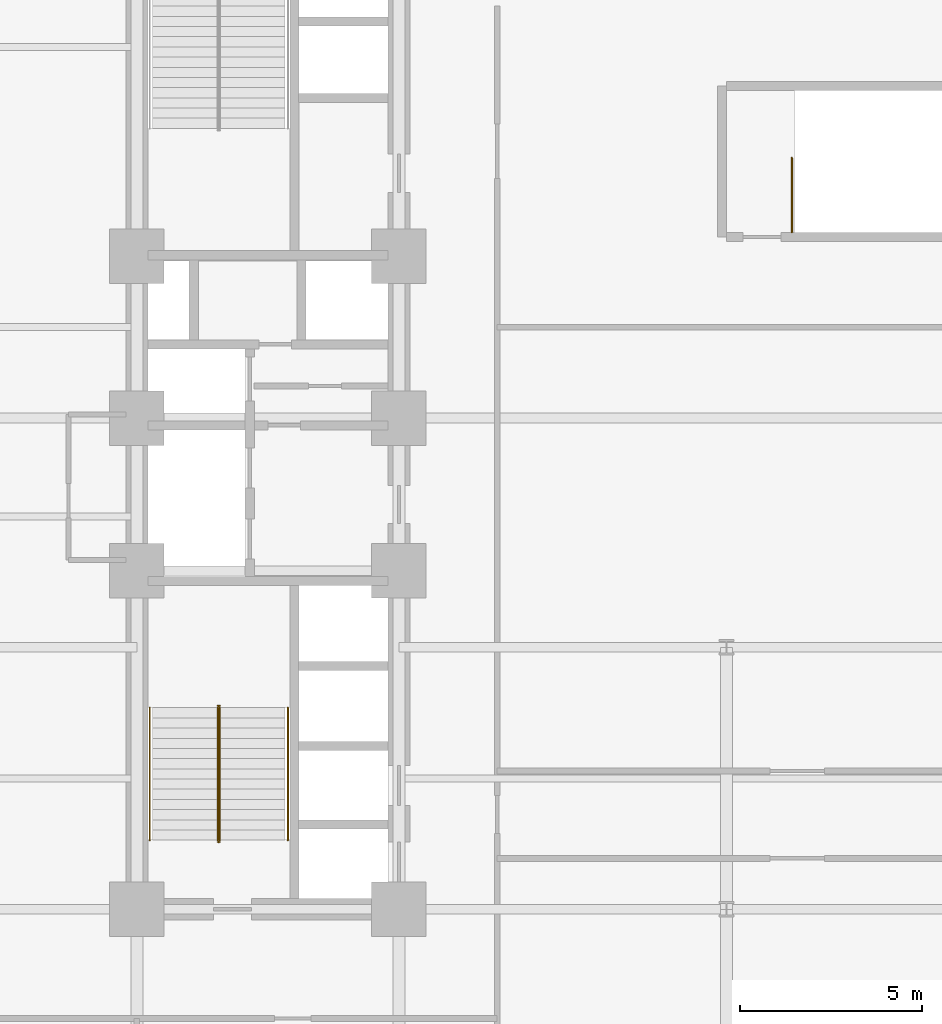
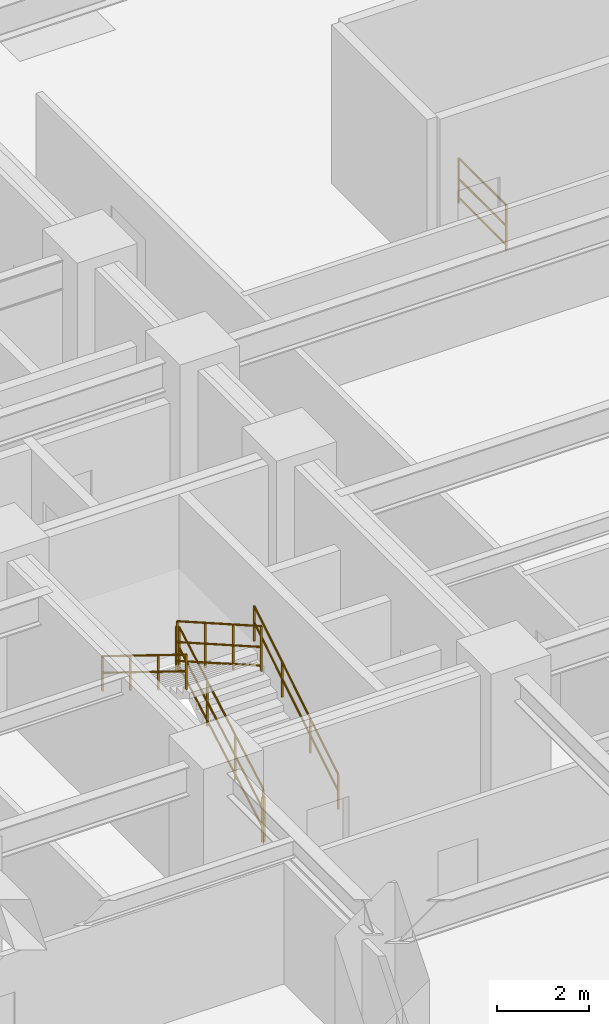
# One storey, part 12 of 14: 7 railings.
"""IFC4 building model written with IfcOpenShell, lengths in metres."""

from ifc_helpers import new_model, entity, si_unit, converted_unit, direction, frame, origin_with_axes, origin_2d_with_axis, place, context, subcontext, project, spatial, rectangle, circle, extrude, material, type_object, element, save


model = new_model("IFC4")

# Units and contexts
model_context = context("Model", 3, precision=1e-05, world=origin_with_axes(), true_north=direction((0.0, 1.0)))
body_context = subcontext(model_context, "Body", "Model", "MODEL_VIEW")
ifc_project = project(units=[si_unit("LENGTHUNIT", "METRE"), si_unit("AREAUNIT", "SQUARE_METRE"), si_unit("VOLUMEUNIT", "CUBIC_METRE"), converted_unit("PLANEANGLEUNIT", "DEGREE", entity("IfcPlaneAngleMeasure", 0.017453292519943295), si_unit("PLANEANGLEUNIT", "RADIAN"), dimensions=[0, 0, 0, 0, 0, 0, 0]), si_unit("MASSUNIT", "GRAM", prefix="KILO"), si_unit("THERMODYNAMICTEMPERATUREUNIT", "KELVIN")], contexts=[model_context])

# Site, building, storey
site_placement = place(None, origin_with_axes())
site = spatial("IfcSite", under=ifc_project, at=site_placement, CompositionType="ELEMENT")
building_placement = place(site_placement, origin_with_axes())
building = spatial("IfcBuilding", under=site, at=building_placement, Name="Varnlund Millrace Tower", CompositionType="ELEMENT")
storey_placement = place(building_placement, frame((0.0, 0.0, 24.3), z_axis=(0.0, 0.0, 1.0), x_axis=(1.0, 0.0, 0.0)))
storey = spatial("IfcBuildingStorey", under=building, at=storey_placement, Name="L05", CompositionType="ELEMENT", Elevation=24.3)

# Railings
ifc_material_1 = material(Name="Painted steel stair well balustrade guard", Category="steel")
railing_type_1 = type_object("IfcRailingType", Name="Type-StairGuard-1150", PredefinedType="GUARDRAIL", material=ifc_material_1)
railing_1_placement = place(storey_placement, frame((0.0, 0.0, -24.3), z_axis=(0.0, 0.0, 1.0), x_axis=(1.0, 0.0, 0.0)))
element("IfcRailing", 1, at=railing_1_placement, inside=storey, type_object=railing_type_1, Name="Type-StairGuard-1150", PredefinedType="GUARDRAIL", context=body_context, shape_type="SweptSolid", body=[
    extrude(circle(Radius=0.024, at=origin_2d_with_axis()), frame((13.675, 12.7, 25.623077), z_axis=(0.0, 0.868559, 0.495585), x_axis=(-1.0, 0.0, 0.0)), (0.0, 0.0, 1.0), 4.190848),
    extrude(circle(Radius=0.024, at=origin_2d_with_axis()), frame((13.675, 12.7, 24.573077), z_axis=(0.0, 0.868559, 0.495585), x_axis=(-1.0, 0.0, 0.0)), (0.0, 0.0, 1.0), 4.190848),
    extrude(circle(Radius=0.024, at=origin_2d_with_axis()), frame((13.675, 12.7, 25.071077), z_axis=(0.0, 0.868559, 0.495585), x_axis=(-1.0, 0.0, 0.0)), (0.0, 0.0, 1.0), 4.190848),
    extrude(rectangle(XDim=0.04, YDim=0.04, at=origin_2d_with_axis()), frame((13.675, 12.7, 24.433077), z_axis=(0.0, 0.0, 1.0), x_axis=(1.0, 0.0, 0.0)), (0.0, 0.0, 1.0), 1.19),
    extrude(rectangle(XDim=0.04, YDim=0.04, at=origin_2d_with_axis()), frame((13.675, 13.913333, 25.125385), z_axis=(0.0, 0.0, 1.0), x_axis=(1.0, 0.0, 0.0)), (0.0, 0.0, 1.0), 1.19),
    extrude(rectangle(XDim=0.04, YDim=0.04, at=origin_2d_with_axis()), frame((13.675, 15.126667, 25.817692), z_axis=(0.0, 0.0, 1.0), x_axis=(1.0, 0.0, 0.0)), (0.0, 0.0, 1.0), 1.19),
    extrude(rectangle(XDim=0.04, YDim=0.04, at=origin_2d_with_axis()), frame((13.675, 16.34, 26.51), z_axis=(0.0, 0.0, 1.0), x_axis=(1.0, 0.0, 0.0)), (0.0, 0.0, 1.0), 1.19),
])
railing_2_placement = place(storey_placement, frame((0.0, 0.0, -24.3), z_axis=(0.0, 0.0, 1.0), x_axis=(1.0, 0.0, 0.0)))
element("IfcRailing", 2, at=railing_2_placement, inside=storey, type_object=railing_type_1, Name="Type-StairGuard-1150", PredefinedType="GUARDRAIL", context=body_context, shape_type="SweptSolid", body=[
    extrude(circle(Radius=0.024, at=origin_2d_with_axis()), frame((13.625, 16.39, 27.7), z_axis=(1.0, 0.0, 0.0), x_axis=(0.0, 1.0, 0.0)), (0.0, 0.0, 1.0), 0.05),
    extrude(circle(Radius=0.024, at=origin_2d_with_axis()), frame((13.625, 16.39, 26.65), z_axis=(1.0, 0.0, 0.0), x_axis=(0.0, 1.0, 0.0)), (0.0, 0.0, 1.0), 0.05),
    extrude(circle(Radius=0.024, at=origin_2d_with_axis()), frame((13.625, 16.39, 27.148), z_axis=(1.0, 0.0, 0.0), x_axis=(0.0, 1.0, 0.0)), (0.0, 0.0, 1.0), 0.05),
    extrude(rectangle(XDim=0.04, YDim=0.04, at=origin_2d_with_axis()), frame((13.625, 16.39, 26.51), z_axis=(0.0, 0.0, 1.0), x_axis=(1.0, 0.0, 0.0)), (0.0, 0.0, 1.0), 1.19),
    extrude(rectangle(XDim=0.04, YDim=0.04, at=origin_2d_with_axis()), frame((13.675, 16.39, 26.51), z_axis=(0.0, 0.0, 1.0), x_axis=(1.0, 0.0, 0.0)), (0.0, 0.0, 1.0), 1.19),
])
railing_3_placement = place(storey_placement, frame((0.0, 0.0, -24.3), z_axis=(0.0, 0.0, 1.0), x_axis=(1.0, 0.0, 0.0)))
element("IfcRailing", 3, at=railing_3_placement, inside=storey, type_object=railing_type_1, Name="Type-StairGuard-1150", PredefinedType="GUARDRAIL", context=body_context, shape_type="SweptSolid", body=[
    extrude(circle(Radius=0.024, at=origin_2d_with_axis()), frame((13.625, 16.34, 27.873077), z_axis=(0.0, -0.868559, 0.495585), x_axis=(1.0, 0.0, 0.0)), (0.0, 0.0, 1.0), 4.190848),
    extrude(circle(Radius=0.024, at=origin_2d_with_axis()), frame((13.625, 16.34, 26.823077), z_axis=(0.0, -0.868559, 0.495585), x_axis=(1.0, 0.0, 0.0)), (0.0, 0.0, 1.0), 4.190848),
    extrude(circle(Radius=0.024, at=origin_2d_with_axis()), frame((13.625, 16.34, 27.321077), z_axis=(0.0, -0.868559, 0.495585), x_axis=(1.0, 0.0, 0.0)), (0.0, 0.0, 1.0), 4.190848),
    extrude(rectangle(XDim=0.04, YDim=0.04, at=origin_2d_with_axis()), frame((13.625, 16.34, 26.683077), z_axis=(0.0, 0.0, 1.0), x_axis=(1.0, 0.0, 0.0)), (0.0, 0.0, 1.0), 1.19),
    extrude(rectangle(XDim=0.04, YDim=0.04, at=origin_2d_with_axis()), frame((13.625, 15.126667, 27.375385), z_axis=(0.0, 0.0, 1.0), x_axis=(1.0, 0.0, 0.0)), (0.0, 0.0, 1.0), 1.19),
    extrude(rectangle(XDim=0.04, YDim=0.04, at=origin_2d_with_axis()), frame((13.625, 13.913333, 28.067692), z_axis=(0.0, 0.0, 1.0), x_axis=(1.0, 0.0, 0.0)), (0.0, 0.0, 1.0), 1.19),
    extrude(rectangle(XDim=0.04, YDim=0.04, at=origin_2d_with_axis()), frame((13.625, 12.7, 28.76), z_axis=(0.0, 0.0, 1.0), x_axis=(1.0, 0.0, 0.0)), (0.0, 0.0, 1.0), 1.19),
])
railing_4_placement = place(storey_placement, frame((0.0, 0.0, -24.3), z_axis=(0.0, 0.0, 1.0), x_axis=(1.0, 0.0, 0.0)))
element("IfcRailing", 4, at=railing_4_placement, inside=storey, type_object=railing_type_1, Name="Type-StairGuard-1150", PredefinedType="GUARDRAIL", context=body_context, shape_type="SweptSolid", body=[
    extrude(circle(Radius=0.024, at=origin_2d_with_axis()), frame((13.625, 12.65, 25.45), z_axis=(1.0, 0.0, 0.0), x_axis=(0.0, 1.0, 0.0)), (0.0, 0.0, 1.0), 0.05),
    extrude(circle(Radius=0.024, at=origin_2d_with_axis()), frame((13.625, 12.65, 24.4), z_axis=(1.0, 0.0, 0.0), x_axis=(0.0, 1.0, 0.0)), (0.0, 0.0, 1.0), 0.05),
    extrude(circle(Radius=0.024, at=origin_2d_with_axis()), frame((13.625, 12.65, 24.898), z_axis=(1.0, 0.0, 0.0), x_axis=(0.0, 1.0, 0.0)), (0.0, 0.0, 1.0), 0.05),
    extrude(rectangle(XDim=0.04, YDim=0.04, at=origin_2d_with_axis()), frame((13.625, 12.65, 24.26), z_axis=(0.0, 0.0, 1.0), x_axis=(1.0, 0.0, 0.0)), (0.0, 0.0, 1.0), 1.19),
    extrude(rectangle(XDim=0.04, YDim=0.04, at=origin_2d_with_axis()), frame((13.675, 12.65, 24.26), z_axis=(0.0, 0.0, 1.0), x_axis=(1.0, 0.0, 0.0)), (0.0, 0.0, 1.0), 1.19),
])
railing_5_placement = place(storey_placement, frame((0.0, 0.0, -24.3), z_axis=(0.0, 0.0, 1.0), x_axis=(1.0, 0.0, 0.0)))
element("IfcRailing", 5, at=railing_5_placement, inside=storey, type_object=railing_type_1, Name="Type-StairGuard-1150", PredefinedType="GUARDRAIL", context=body_context, shape_type="SweptSolid", body=[
    extrude(circle(Radius=0.024, at=origin_2d_with_axis()), frame((29.4, 29.4, 25.45), z_axis=(0.0, 1.0, 0.0), x_axis=(-1.0, 0.0, 0.0)), (0.0, 0.0, 1.0), 2.05),
    extrude(circle(Radius=0.024, at=origin_2d_with_axis()), frame((29.4, 29.4, 24.4), z_axis=(0.0, 1.0, 0.0), x_axis=(-1.0, 0.0, 0.0)), (0.0, 0.0, 1.0), 2.05),
    extrude(circle(Radius=0.024, at=origin_2d_with_axis()), frame((29.4, 29.4, 24.898), z_axis=(0.0, 1.0, 0.0), x_axis=(-1.0, 0.0, 0.0)), (0.0, 0.0, 1.0), 2.05),
    extrude(rectangle(XDim=0.04, YDim=0.04, at=origin_2d_with_axis()), frame((29.4, 29.4, 24.26), z_axis=(0.0, 0.0, 1.0), x_axis=(1.0, 0.0, 0.0)), (0.0, 0.0, 1.0), 1.19),
    extrude(rectangle(XDim=0.04, YDim=0.04, at=origin_2d_with_axis()), frame((29.4, 31.45, 24.26), z_axis=(0.0, 0.0, 1.0), x_axis=(1.0, 0.0, 0.0)), (0.0, 0.0, 1.0), 1.19),
])
ifc_material_2 = material(Name="Brushed architectural bronze stair handrail", Category="aluminium")
railing_type_2 = type_object("IfcRailingType", Name="Type-StairHandrail-900", PredefinedType="HANDRAIL", material=ifc_material_2)
railing_6_placement = place(storey_placement, frame((0.0, 0.0, -24.3), z_axis=(0.0, 0.0, 1.0), x_axis=(1.0, 0.0, 0.0)))
element("IfcRailing", 6, at=railing_6_placement, inside=storey, type_object=railing_type_2, Name="Type-StairHandrail-900", PredefinedType="HANDRAIL", context=body_context, shape_type="SweptSolid", body=[
    extrude(circle(Radius=0.024, at=origin_2d_with_axis()), frame((15.55, 12.7, 25.352662), z_axis=(0.0, 0.850614, 0.525791), x_axis=(-1.0, 0.0, 0.0)), (0.0, 0.0, 1.0), 4.279264),
    extrude(circle(Radius=0.024, at=origin_2d_with_axis()), frame((15.55, 12.7, 24.91287), z_axis=(0.0, 0.850614, 0.525791), x_axis=(-1.0, 0.0, 0.0)), (0.0, 0.0, 1.0), 4.279264),
    extrude(rectangle(XDim=0.04, YDim=0.04, at=origin_2d_with_axis()), frame((15.55, 12.7, 24.433077), z_axis=(0.0, 0.0, 1.0), x_axis=(1.0, 0.0, 0.0)), (0.0, 0.0, 1.0), 0.919585),
    extrude(rectangle(XDim=0.04, YDim=0.04, at=origin_2d_with_axis()), frame((15.55, 13.913333, 25.183077), z_axis=(0.0, 0.0, 1.0), x_axis=(1.0, 0.0, 0.0)), (0.0, 0.0, 1.0), 0.919585),
    extrude(rectangle(XDim=0.04, YDim=0.04, at=origin_2d_with_axis()), frame((15.55, 15.126667, 25.933077), z_axis=(0.0, 0.0, 1.0), x_axis=(1.0, 0.0, 0.0)), (0.0, 0.0, 1.0), 0.919585),
    extrude(rectangle(XDim=0.04, YDim=0.04, at=origin_2d_with_axis()), frame((15.55, 16.34, 26.683077), z_axis=(0.0, 0.0, 1.0), x_axis=(1.0, 0.0, 0.0)), (0.0, 0.0, 1.0), 0.919585),
])
railing_7_placement = place(storey_placement, frame((0.0, 0.0, -24.3), z_axis=(0.0, 0.0, 1.0), x_axis=(1.0, 0.0, 0.0)))
element("IfcRailing", 7, at=railing_7_placement, inside=storey, type_object=railing_type_2, Name="Type-StairHandrail-900", PredefinedType="HANDRAIL", context=body_context, shape_type="SweptSolid", body=[
    extrude(circle(Radius=0.024, at=origin_2d_with_axis()), frame((11.75, 16.34, 27.602662), z_axis=(0.0, -0.850614, 0.525791), x_axis=(1.0, 0.0, 0.0)), (0.0, 0.0, 1.0), 4.279264),
    extrude(circle(Radius=0.024, at=origin_2d_with_axis()), frame((11.75, 16.34, 27.16287), z_axis=(0.0, -0.850614, 0.525791), x_axis=(1.0, 0.0, 0.0)), (0.0, 0.0, 1.0), 4.279264),
    extrude(rectangle(XDim=0.04, YDim=0.04, at=origin_2d_with_axis()), frame((11.75, 16.34, 26.683077), z_axis=(0.0, 0.0, 1.0), x_axis=(1.0, 0.0, 0.0)), (0.0, 0.0, 1.0), 0.919585),
    extrude(rectangle(XDim=0.04, YDim=0.04, at=origin_2d_with_axis()), frame((11.75, 15.126667, 27.433077), z_axis=(0.0, 0.0, 1.0), x_axis=(1.0, 0.0, 0.0)), (0.0, 0.0, 1.0), 0.919585),
    extrude(rectangle(XDim=0.04, YDim=0.04, at=origin_2d_with_axis()), frame((11.75, 13.913333, 28.183077), z_axis=(0.0, 0.0, 1.0), x_axis=(1.0, 0.0, 0.0)), (0.0, 0.0, 1.0), 0.919585),
    extrude(rectangle(XDim=0.04, YDim=0.04, at=origin_2d_with_axis()), frame((11.75, 12.7, 28.933077), z_axis=(0.0, 0.0, 1.0), x_axis=(1.0, 0.0, 0.0)), (0.0, 0.0, 1.0), 0.919585),
])

save(model, "model.ifc")
